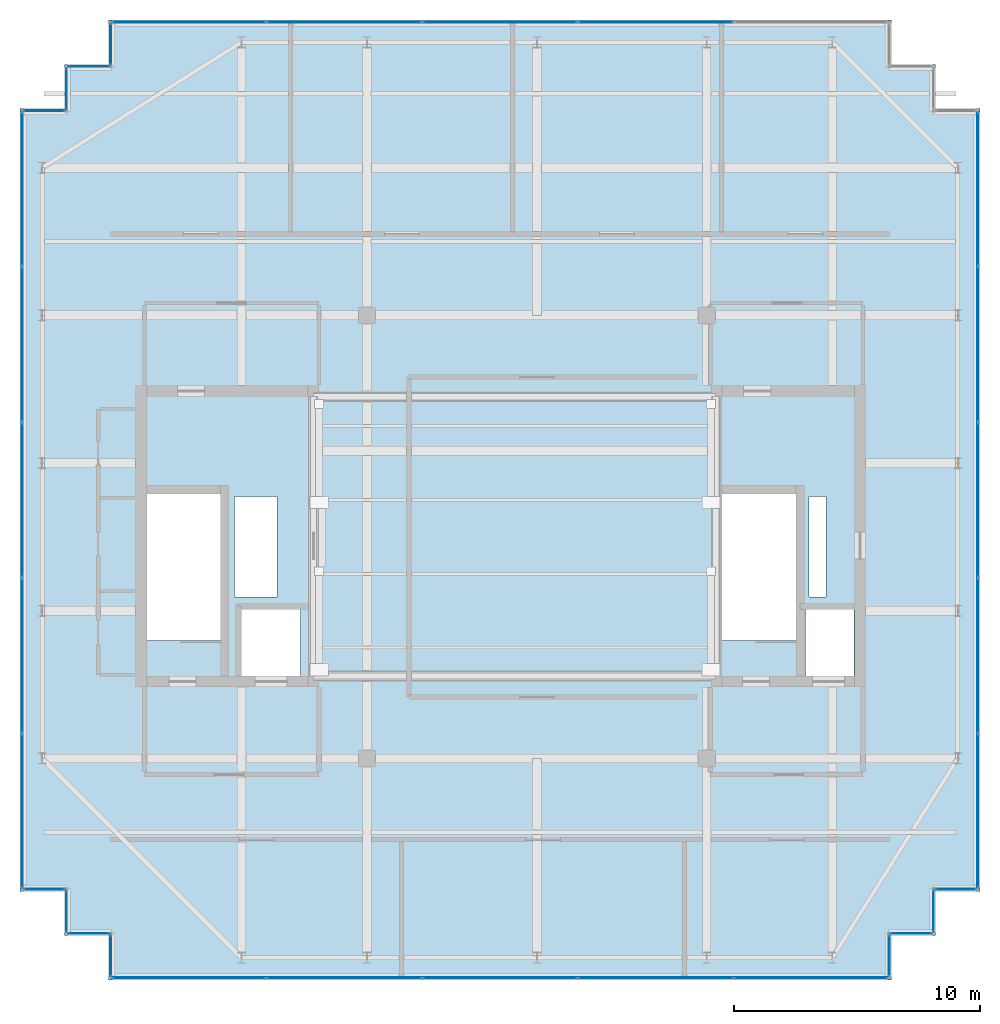
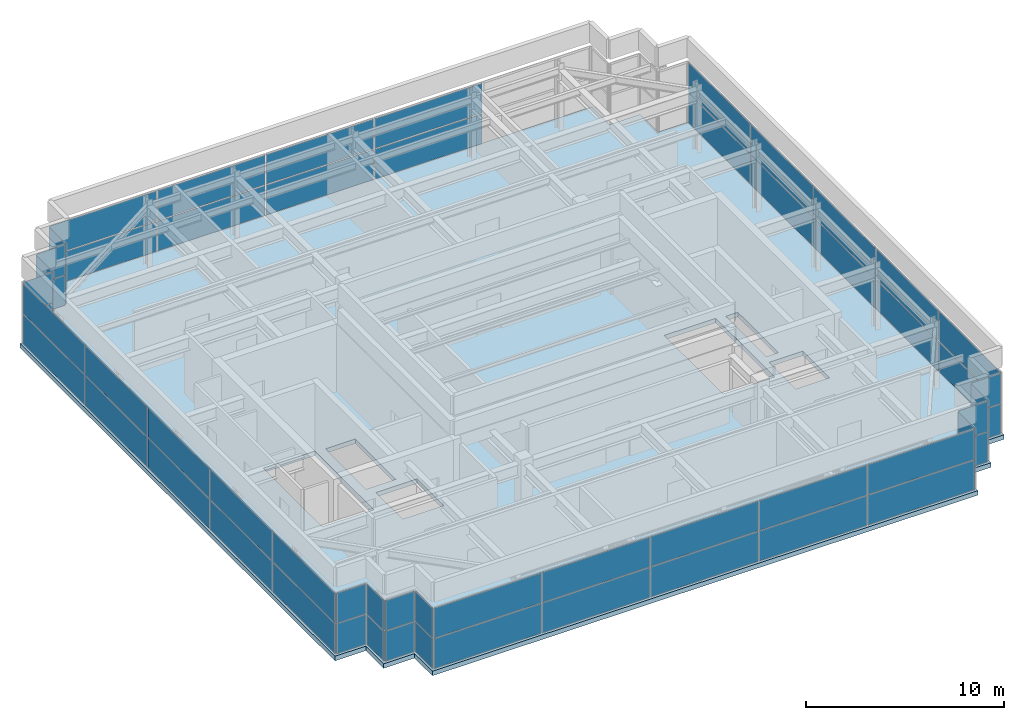
# One storey, part 29 of 33: 62 plates, 1 slab, 16 elements without a shape of their own.
"""IFC4 building model written with IfcOpenShell, lengths in metres."""

from ifc_helpers import new_model, si_unit, direction, frame, origin, origin_2d, place, context, subcontext, project, spatial, polyline, rectangle, outline, extrude, source, transform, mapped, material, layer, layer_set, type_object, element, aggregate, save


model = new_model("IFC4")

# Units and contexts
model_context = context("Model", 3, precision=1e-05, world=origin(), true_north=direction((0.0, 1.0)))
body_context = subcontext(model_context, "Body", "Model", "MODEL_VIEW")
ifc_project = project(units=[si_unit("LENGTHUNIT", "METRE"), si_unit("AREAUNIT", "SQUARE_METRE"), si_unit("VOLUMEUNIT", "CUBIC_METRE"), si_unit("PLANEANGLEUNIT", "RADIAN"), si_unit("MASSUNIT", "GRAM", prefix="KILO")], contexts=[model_context])

# Site, building, storey
site_placement = place(None, origin())
site = spatial("IfcSite", under=ifc_project, at=site_placement, CompositionType="ELEMENT")
building_placement = place(site_placement, origin())
building = spatial("IfcBuilding", under=site, at=building_placement, Name="Khoralis Quay Care Tower", CompositionType="ELEMENT")
storey_placement = place(building_placement, frame((0.0, 0.0, 314.699951171875)))
storey = spatial("IfcBuildingStorey", under=building, at=storey_placement, Name="L82", CompositionType="ELEMENT", Elevation=314.699951171875)

# Slab
ifc_material_1 = material(Name="Concrete C40/50", Category="concrete")
ifc_layer_1 = layer(ifc_material_1, 0.280029296875)
ifc_layer_set_1 = layer_set([ifc_layer_1], Name="Concrete C40/50")
slab_type = type_object("IfcSlabType", Name="SLB-TWR-280", PredefinedType="FLOOR", material=ifc_layer_set_1)
slab_placement = place(storey_placement, frame((0.0, 0.0, -0.280029296875)))
element("IfcSlab", 1, at=slab_placement, inside=storey, type_object=slab_type, Name="Tower Floor Slab L82", PredefinedType="FLOOR", context=body_context, shape_type="SweptSolid", body=[
    extrude(outline(polyline([(6.60009765625, 3.0), (38.39990234375, 3.0), (38.39990234375, 4.800048828125), (40.199951171875, 4.800048828125), (40.199951171875, 6.60009765625), (42.0, 6.60009765625), (42.0, 38.39990234375), (40.199951171875, 38.39990234375), (40.199951171875, 40.199951171875), (38.39990234375, 40.199951171875), (38.39990234375, 42.0), (6.60009765625, 42.0), (6.60009765625, 40.199951171875), (4.800048828125, 40.199951171875), (4.800048828125, 38.39990234375), (3.0, 38.39990234375), (3.0, 6.60009765625), (4.800048828125, 6.60009765625), (4.800048828125, 4.800048828125), (6.60009765625, 4.800048828125), (6.60009765625, 3.0)]), holes=[polyline([(11.14990234375, 16.800048828125), (11.14990234375, 22.75), (8.14990234375, 22.75), (8.14990234375, 16.800048828125), (11.14990234375, 16.800048828125)]), polyline([(34.52001953125, 16.800048828125), (34.52001953125, 22.75), (31.52001953125, 22.75), (31.52001953125, 16.800048828125), (34.52001953125, 16.800048828125)]), polyline([(12.0, 15.35009765625), (14.39990234375, 15.35009765625), (14.39990234375, 18.050048828125), (12.0, 18.050048828125), (12.0, 15.35009765625)]), polyline([(34.919921875, 15.35009765625), (36.8798828125, 15.35009765625), (36.8798828125, 18.050048828125), (34.919921875, 18.050048828125), (34.919921875, 15.35009765625)]), polyline([(11.719970703125, 18.550048828125), (13.449951171875, 18.550048828125), (13.449951171875, 22.64990234375), (11.719970703125, 22.64990234375), (11.719970703125, 18.550048828125)]), polyline([(35.050048828125, 18.550048828125), (35.75, 18.550048828125), (35.75, 22.64990234375), (35.050048828125, 22.64990234375), (35.050048828125, 18.550048828125)])]), origin(), (0.0, 0.0, 1.0), 0.280029296875),
])

# Curtain wall, plates
ifc_material_2 = material(Name="Pale anodised aluminium", Category="aluminium")
ifc_layer_2 = layer(ifc_material_2, 0.199951171875)
ifc_layer_set_2 = layer_set([ifc_layer_2], Name="Pale anodised aluminium")
curtain_wall_type = type_object("IfcCurtainWallType", Name="CW-SYS-LANTERN", PredefinedType="NOTDEFINED", material=ifc_layer_set_2)
curtain_wall_1_placement = place(storey_placement, origin())
curtain_wall_1 = element("IfcCurtainWall", 2, at=curtain_wall_1_placement, inside=storey, type_object=curtain_wall_type, Name="L82 Unitised Curtain Wall CW-LN-L82-01", PredefinedType="NOTDEFINED")
ifc_material_3 = material(Name="Low-iron clear lantern glazing", Category="glass")
ifc_layer_3 = layer(ifc_material_3, 0.035888671875)
ifc_layer_set_3 = layer_set([ifc_layer_3], Name="Low-iron clear lantern glazing")
plate_type = type_object("IfcPlateType", Name="PNL-LNT-36", PredefinedType="CURTAIN_PANEL", material=ifc_layer_set_3)
shared_shape_1 = source(origin(), body_context, "Body", "SweptSolid", [
    extrude(rectangle(XDim=6.23388671875, YDim=0.028076171875, at=origin_2d()), origin(), (0.0, 0.0, 1.0), 1.830078125),
])
plate_1_placement = place(storey_placement, frame((9.866943359375, 3.090087890625, 0.06005859375), z_axis=(0.0, 0.0, 1.0), x_axis=(1.0, 0.0, 0.0)))
plate_1 = element("IfcPlate", 3, at=plate_1_placement, type_object=plate_type, Name="CW5 panel 1.1", PredefinedType="CURTAIN_PANEL", context=body_context, shape_type="MappedRepresentation", body=[
    mapped(shared_shape_1, transform((0.0, 0.0, 0.0), scale=1.0)),
])
plate_2_placement = place(storey_placement, frame((9.866943359375, 3.090087890625, 1.949951171875), z_axis=(0.0, 0.0, 1.0), x_axis=(1.0, 0.0, 0.0)))
plate_2 = element("IfcPlate", 4, at=plate_2_placement, type_object=plate_type, Name="CW5 panel 1.2", PredefinedType="CURTAIN_PANEL", context=body_context, shape_type="MappedRepresentation", body=[
    mapped(shared_shape_1, transform((0.0, 0.0, 0.0), scale=1.0)),
])
plate_3_placement = place(storey_placement, frame((35.133056640625, 3.090087890625, 0.06005859375), z_axis=(0.0, 0.0, 1.0), x_axis=(1.0, 0.0, 0.0)))
plate_3 = element("IfcPlate", 5, at=plate_3_placement, type_object=plate_type, Name="CW5 panel 5.1", PredefinedType="CURTAIN_PANEL", context=body_context, shape_type="MappedRepresentation", body=[
    mapped(shared_shape_1, transform((0.0, 0.0, 0.0), scale=1.0)),
])
plate_4_placement = place(storey_placement, frame((35.133056640625, 3.090087890625, 1.949951171875), z_axis=(0.0, 0.0, 1.0), x_axis=(1.0, 0.0, 0.0)))
plate_4 = element("IfcPlate", 6, at=plate_4_placement, type_object=plate_type, Name="CW5 panel 5.2", PredefinedType="CURTAIN_PANEL", context=body_context, shape_type="MappedRepresentation", body=[
    mapped(shared_shape_1, transform((0.0, 0.0, 0.0), scale=1.0)),
])

curtain_wall_2_placement = place(storey_placement, origin())
curtain_wall_2 = element("IfcCurtainWall", 7, at=curtain_wall_2_placement, inside=storey, type_object=curtain_wall_type, Name="L82 Unitised Curtain Wall CW-LN-L82-06", PredefinedType="NOTDEFINED")
plate_5_placement = place(storey_placement, frame((41.909912109375, 9.866943359375, 0.06005859375), z_axis=(0.0, 0.0, 1.0), x_axis=(0.0, 1.0, 0.0)))
plate_5 = element("IfcPlate", 8, at=plate_5_placement, type_object=plate_type, Name="CW5 panel 1.1", PredefinedType="CURTAIN_PANEL", context=body_context, shape_type="MappedRepresentation", body=[
    mapped(shared_shape_1, transform((0.0, 0.0, 0.0), scale=1.0)),
])
plate_6_placement = place(storey_placement, frame((41.909912109375, 9.866943359375, 1.949951171875), z_axis=(0.0, 0.0, 1.0), x_axis=(0.0, 1.0, 0.0)))
plate_6 = element("IfcPlate", 9, at=plate_6_placement, type_object=plate_type, Name="CW5 panel 1.2", PredefinedType="CURTAIN_PANEL", context=body_context, shape_type="MappedRepresentation", body=[
    mapped(shared_shape_1, transform((0.0, 0.0, 0.0), scale=1.0)),
])
plate_7_placement = place(storey_placement, frame((41.909912109375, 35.133056640625, 0.06005859375), z_axis=(0.0, 0.0, 1.0), x_axis=(0.0, 1.0, 0.0)))
plate_7 = element("IfcPlate", 10, at=plate_7_placement, type_object=plate_type, Name="CW5 panel 5.1", PredefinedType="CURTAIN_PANEL", context=body_context, shape_type="MappedRepresentation", body=[
    mapped(shared_shape_1, transform((0.0, 0.0, 0.0), scale=1.0)),
])
plate_8_placement = place(storey_placement, frame((41.909912109375, 35.133056640625, 1.949951171875), z_axis=(0.0, 0.0, 1.0), x_axis=(0.0, 1.0, 0.0)))
plate_8 = element("IfcPlate", 11, at=plate_8_placement, type_object=plate_type, Name="CW5 panel 5.2", PredefinedType="CURTAIN_PANEL", context=body_context, shape_type="MappedRepresentation", body=[
    mapped(shared_shape_1, transform((0.0, 0.0, 0.0), scale=1.0)),
])

curtain_wall_3_placement = place(storey_placement, origin())
curtain_wall_3 = element("IfcCurtainWall", 12, at=curtain_wall_3_placement, inside=storey, type_object=curtain_wall_type, Name="L82 Unitised Curtain Wall CW-LN-L82-11", PredefinedType="NOTDEFINED")
plate_9_placement = place(storey_placement, frame((9.866943359375, 41.909912109375, 0.06005859375), z_axis=(0.0, 0.0, 1.0), x_axis=(-1.0, 0.0, 0.0)))
plate_9 = element("IfcPlate", 13, at=plate_9_placement, type_object=plate_type, Name="CW5 panel 5.1", PredefinedType="CURTAIN_PANEL", context=body_context, shape_type="MappedRepresentation", body=[
    mapped(shared_shape_1, transform((0.0, 0.0, 0.0), scale=1.0)),
])
plate_10_placement = place(storey_placement, frame((9.866943359375, 41.909912109375, 1.949951171875), z_axis=(0.0, 0.0, 1.0), x_axis=(-1.0, 0.0, 0.0)))
plate_10 = element("IfcPlate", 14, at=plate_10_placement, type_object=plate_type, Name="CW5 panel 5.2", PredefinedType="CURTAIN_PANEL", context=body_context, shape_type="MappedRepresentation", body=[
    mapped(shared_shape_1, transform((0.0, 0.0, 0.0), scale=1.0)),
])

curtain_wall_4_placement = place(storey_placement, origin())
curtain_wall_4 = element("IfcCurtainWall", 15, at=curtain_wall_4_placement, inside=storey, type_object=curtain_wall_type, Name="L82 Unitised Curtain Wall CW-LN-L82-16", PredefinedType="NOTDEFINED")
plate_11_placement = place(storey_placement, frame((3.090087890625, 35.133056640625, 0.06005859375), z_axis=(0.0, 0.0, 1.0), x_axis=(0.0, -1.0, 0.0)))
plate_11 = element("IfcPlate", 16, at=plate_11_placement, type_object=plate_type, Name="CW5 panel 1.1", PredefinedType="CURTAIN_PANEL", context=body_context, shape_type="MappedRepresentation", body=[
    mapped(shared_shape_1, transform((0.0, 0.0, 0.0), scale=1.0)),
])
plate_12_placement = place(storey_placement, frame((3.090087890625, 35.133056640625, 1.949951171875), z_axis=(0.0, 0.0, 1.0), x_axis=(0.0, -1.0, 0.0)))
plate_12 = element("IfcPlate", 17, at=plate_12_placement, type_object=plate_type, Name="CW5 panel 1.2", PredefinedType="CURTAIN_PANEL", context=body_context, shape_type="MappedRepresentation", body=[
    mapped(shared_shape_1, transform((0.0, 0.0, 0.0), scale=1.0)),
])
plate_13_placement = place(storey_placement, frame((3.090087890625, 9.866943359375, 0.06005859375), z_axis=(0.0, 0.0, 1.0), x_axis=(0.0, -1.0, 0.0)))
plate_13 = element("IfcPlate", 18, at=plate_13_placement, type_object=plate_type, Name="CW5 panel 5.1", PredefinedType="CURTAIN_PANEL", context=body_context, shape_type="MappedRepresentation", body=[
    mapped(shared_shape_1, transform((0.0, 0.0, 0.0), scale=1.0)),
])
plate_14_placement = place(storey_placement, frame((3.090087890625, 9.866943359375, 1.949951171875), z_axis=(0.0, 0.0, 1.0), x_axis=(0.0, -1.0, 0.0)))
plate_14 = element("IfcPlate", 19, at=plate_14_placement, type_object=plate_type, Name="CW5 panel 5.2", PredefinedType="CURTAIN_PANEL", context=body_context, shape_type="MappedRepresentation", body=[
    mapped(shared_shape_1, transform((0.0, 0.0, 0.0), scale=1.0)),
])

# Plate
shared_shape_2 = source(origin(), body_context, "Body", "SweptSolid", [
    extrude(rectangle(XDim=6.263916015625, YDim=0.028076171875, at=origin_2d()), origin(), (0.0, 0.0, 1.0), 1.830078125),
])
plate_15_placement = place(storey_placement, frame((16.176025390625, 3.090087890625, 0.06005859375), z_axis=(0.0, 0.0, 1.0), x_axis=(1.0, 0.0, 0.0)))
plate_15 = element("IfcPlate", 20, at=plate_15_placement, type_object=plate_type, Name="CW5 panel 2.1", PredefinedType="CURTAIN_PANEL", context=body_context, shape_type="MappedRepresentation", body=[
    mapped(shared_shape_2, transform((0.0, 0.0, 0.0), scale=1.0)),
])

plate_16_placement = place(storey_placement, frame((16.176025390625, 3.090087890625, 1.949951171875), z_axis=(0.0, 0.0, 1.0), x_axis=(1.0, 0.0, 0.0)))
plate_16 = element("IfcPlate", 21, at=plate_16_placement, type_object=plate_type, Name="CW5 panel 2.2", PredefinedType="CURTAIN_PANEL", context=body_context, shape_type="MappedRepresentation", body=[
    mapped(shared_shape_2, transform((0.0, 0.0, 0.0), scale=1.0)),
])

plate_17_placement = place(storey_placement, frame((22.5, 3.090087890625, 0.06005859375), z_axis=(0.0, 0.0, 1.0), x_axis=(1.0, 0.0, 0.0)))
plate_17 = element("IfcPlate", 22, at=plate_17_placement, type_object=plate_type, Name="CW5 panel 3.1", PredefinedType="CURTAIN_PANEL", context=body_context, shape_type="MappedRepresentation", body=[
    mapped(shared_shape_2, transform((0.0, 0.0, 0.0), scale=1.0)),
])

plate_18_placement = place(storey_placement, frame((22.5, 3.090087890625, 1.949951171875), z_axis=(0.0, 0.0, 1.0), x_axis=(1.0, 0.0, 0.0)))
plate_18 = element("IfcPlate", 23, at=plate_18_placement, type_object=plate_type, Name="CW5 panel 3.2", PredefinedType="CURTAIN_PANEL", context=body_context, shape_type="MappedRepresentation", body=[
    mapped(shared_shape_2, transform((0.0, 0.0, 0.0), scale=1.0)),
])

plate_19_placement = place(storey_placement, frame((28.823974609375, 3.090087890625, 0.06005859375), z_axis=(0.0, 0.0, 1.0), x_axis=(1.0, 0.0, 0.0)))
plate_19 = element("IfcPlate", 24, at=plate_19_placement, type_object=plate_type, Name="CW5 panel 4.1", PredefinedType="CURTAIN_PANEL", context=body_context, shape_type="MappedRepresentation", body=[
    mapped(shared_shape_2, transform((0.0, 0.0, 0.0), scale=1.0)),
])

plate_20_placement = place(storey_placement, frame((28.823974609375, 3.090087890625, 1.949951171875), z_axis=(0.0, 0.0, 1.0), x_axis=(1.0, 0.0, 0.0)))
plate_20 = element("IfcPlate", 25, at=plate_20_placement, type_object=plate_type, Name="CW5 panel 4.2", PredefinedType="CURTAIN_PANEL", context=body_context, shape_type="MappedRepresentation", body=[
    mapped(shared_shape_2, transform((0.0, 0.0, 0.0), scale=1.0)),
])

aggregate(curtain_wall_1, [plate_1, plate_2, plate_15, plate_16, plate_17, plate_18, plate_19, plate_20, plate_3, plate_4])

plate_21_placement = place(storey_placement, frame((41.909912109375, 16.176025390625, 0.06005859375), z_axis=(0.0, 0.0, 1.0), x_axis=(0.0, 1.0, 0.0)))
plate_21 = element("IfcPlate", 26, at=plate_21_placement, type_object=plate_type, Name="CW5 panel 2.1", PredefinedType="CURTAIN_PANEL", context=body_context, shape_type="MappedRepresentation", body=[
    mapped(shared_shape_2, transform((0.0, 0.0, 0.0), scale=1.0)),
])

plate_22_placement = place(storey_placement, frame((41.909912109375, 16.176025390625, 1.949951171875), z_axis=(0.0, 0.0, 1.0), x_axis=(0.0, 1.0, 0.0)))
plate_22 = element("IfcPlate", 27, at=plate_22_placement, type_object=plate_type, Name="CW5 panel 2.2", PredefinedType="CURTAIN_PANEL", context=body_context, shape_type="MappedRepresentation", body=[
    mapped(shared_shape_2, transform((0.0, 0.0, 0.0), scale=1.0)),
])

plate_23_placement = place(storey_placement, frame((41.909912109375, 22.5, 0.06005859375), z_axis=(0.0, 0.0, 1.0), x_axis=(0.0, 1.0, 0.0)))
plate_23 = element("IfcPlate", 28, at=plate_23_placement, type_object=plate_type, Name="CW5 panel 3.1", PredefinedType="CURTAIN_PANEL", context=body_context, shape_type="MappedRepresentation", body=[
    mapped(shared_shape_2, transform((0.0, 0.0, 0.0), scale=1.0)),
])

plate_24_placement = place(storey_placement, frame((41.909912109375, 22.5, 1.949951171875), z_axis=(0.0, 0.0, 1.0), x_axis=(0.0, 1.0, 0.0)))
plate_24 = element("IfcPlate", 29, at=plate_24_placement, type_object=plate_type, Name="CW5 panel 3.2", PredefinedType="CURTAIN_PANEL", context=body_context, shape_type="MappedRepresentation", body=[
    mapped(shared_shape_2, transform((0.0, 0.0, 0.0), scale=1.0)),
])

plate_25_placement = place(storey_placement, frame((41.909912109375, 28.823974609375, 0.06005859375), z_axis=(0.0, 0.0, 1.0), x_axis=(0.0, 1.0, 0.0)))
plate_25 = element("IfcPlate", 30, at=plate_25_placement, type_object=plate_type, Name="CW5 panel 4.1", PredefinedType="CURTAIN_PANEL", context=body_context, shape_type="MappedRepresentation", body=[
    mapped(shared_shape_2, transform((0.0, 0.0, 0.0), scale=1.0)),
])

plate_26_placement = place(storey_placement, frame((41.909912109375, 28.823974609375, 1.949951171875), z_axis=(0.0, 0.0, 1.0), x_axis=(0.0, 1.0, 0.0)))
plate_26 = element("IfcPlate", 31, at=plate_26_placement, type_object=plate_type, Name="CW5 panel 4.2", PredefinedType="CURTAIN_PANEL", context=body_context, shape_type="MappedRepresentation", body=[
    mapped(shared_shape_2, transform((0.0, 0.0, 0.0), scale=1.0)),
])

aggregate(curtain_wall_2, [plate_5, plate_6, plate_21, plate_22, plate_23, plate_24, plate_25, plate_26, plate_7, plate_8])

plate_27_placement = place(storey_placement, frame((28.823974609375, 41.909912109375, 0.06005859375), z_axis=(0.0, 0.0, 1.0), x_axis=(-1.0, 0.0, 0.0)))
plate_27 = element("IfcPlate", 32, at=plate_27_placement, type_object=plate_type, Name="CW5 panel 2.1", PredefinedType="CURTAIN_PANEL", context=body_context, shape_type="MappedRepresentation", body=[
    mapped(shared_shape_2, transform((0.0, 0.0, 0.0), scale=1.0)),
])

plate_28_placement = place(storey_placement, frame((28.823974609375, 41.909912109375, 1.949951171875), z_axis=(0.0, 0.0, 1.0), x_axis=(-1.0, 0.0, 0.0)))
plate_28 = element("IfcPlate", 33, at=plate_28_placement, type_object=plate_type, Name="CW5 panel 2.2", PredefinedType="CURTAIN_PANEL", context=body_context, shape_type="MappedRepresentation", body=[
    mapped(shared_shape_2, transform((0.0, 0.0, 0.0), scale=1.0)),
])

plate_29_placement = place(storey_placement, frame((22.5, 41.909912109375, 0.06005859375), z_axis=(0.0, 0.0, 1.0), x_axis=(-1.0, 0.0, 0.0)))
plate_29 = element("IfcPlate", 34, at=plate_29_placement, type_object=plate_type, Name="CW5 panel 3.1", PredefinedType="CURTAIN_PANEL", context=body_context, shape_type="MappedRepresentation", body=[
    mapped(shared_shape_2, transform((0.0, 0.0, 0.0), scale=1.0)),
])

plate_30_placement = place(storey_placement, frame((22.5, 41.909912109375, 1.949951171875), z_axis=(0.0, 0.0, 1.0), x_axis=(-1.0, 0.0, 0.0)))
plate_30 = element("IfcPlate", 35, at=plate_30_placement, type_object=plate_type, Name="CW5 panel 3.2", PredefinedType="CURTAIN_PANEL", context=body_context, shape_type="MappedRepresentation", body=[
    mapped(shared_shape_2, transform((0.0, 0.0, 0.0), scale=1.0)),
])

plate_31_placement = place(storey_placement, frame((16.176025390625, 41.909912109375, 0.06005859375), z_axis=(0.0, 0.0, 1.0), x_axis=(-1.0, 0.0, 0.0)))
plate_31 = element("IfcPlate", 36, at=plate_31_placement, type_object=plate_type, Name="CW5 panel 4.1", PredefinedType="CURTAIN_PANEL", context=body_context, shape_type="MappedRepresentation", body=[
    mapped(shared_shape_2, transform((0.0, 0.0, 0.0), scale=1.0)),
])

plate_32_placement = place(storey_placement, frame((16.176025390625, 41.909912109375, 1.949951171875), z_axis=(0.0, 0.0, 1.0), x_axis=(-1.0, 0.0, 0.0)))
plate_32 = element("IfcPlate", 37, at=plate_32_placement, type_object=plate_type, Name="CW5 panel 4.2", PredefinedType="CURTAIN_PANEL", context=body_context, shape_type="MappedRepresentation", body=[
    mapped(shared_shape_2, transform((0.0, 0.0, 0.0), scale=1.0)),
])

aggregate(curtain_wall_3, [plate_27, plate_28, plate_29, plate_30, plate_31, plate_32, plate_9, plate_10])

plate_33_placement = place(storey_placement, frame((3.090087890625, 28.823974609375, 0.06005859375), z_axis=(0.0, 0.0, 1.0), x_axis=(0.0, -1.0, 0.0)))
plate_33 = element("IfcPlate", 38, at=plate_33_placement, type_object=plate_type, Name="CW5 panel 2.1", PredefinedType="CURTAIN_PANEL", context=body_context, shape_type="MappedRepresentation", body=[
    mapped(shared_shape_2, transform((0.0, 0.0, 0.0), scale=1.0)),
])

plate_34_placement = place(storey_placement, frame((3.090087890625, 28.823974609375, 1.949951171875), z_axis=(0.0, 0.0, 1.0), x_axis=(0.0, -1.0, 0.0)))
plate_34 = element("IfcPlate", 39, at=plate_34_placement, type_object=plate_type, Name="CW5 panel 2.2", PredefinedType="CURTAIN_PANEL", context=body_context, shape_type="MappedRepresentation", body=[
    mapped(shared_shape_2, transform((0.0, 0.0, 0.0), scale=1.0)),
])

plate_35_placement = place(storey_placement, frame((3.090087890625, 22.5, 0.06005859375), z_axis=(0.0, 0.0, 1.0), x_axis=(0.0, -1.0, 0.0)))
plate_35 = element("IfcPlate", 40, at=plate_35_placement, type_object=plate_type, Name="CW5 panel 3.1", PredefinedType="CURTAIN_PANEL", context=body_context, shape_type="MappedRepresentation", body=[
    mapped(shared_shape_2, transform((0.0, 0.0, 0.0), scale=1.0)),
])

plate_36_placement = place(storey_placement, frame((3.090087890625, 22.5, 1.949951171875), z_axis=(0.0, 0.0, 1.0), x_axis=(0.0, -1.0, 0.0)))
plate_36 = element("IfcPlate", 41, at=plate_36_placement, type_object=plate_type, Name="CW5 panel 3.2", PredefinedType="CURTAIN_PANEL", context=body_context, shape_type="MappedRepresentation", body=[
    mapped(shared_shape_2, transform((0.0, 0.0, 0.0), scale=1.0)),
])

plate_37_placement = place(storey_placement, frame((3.090087890625, 16.176025390625, 0.06005859375), z_axis=(0.0, 0.0, 1.0), x_axis=(0.0, -1.0, 0.0)))
plate_37 = element("IfcPlate", 42, at=plate_37_placement, type_object=plate_type, Name="CW5 panel 4.1", PredefinedType="CURTAIN_PANEL", context=body_context, shape_type="MappedRepresentation", body=[
    mapped(shared_shape_2, transform((0.0, 0.0, 0.0), scale=1.0)),
])

plate_38_placement = place(storey_placement, frame((3.090087890625, 16.176025390625, 1.949951171875), z_axis=(0.0, 0.0, 1.0), x_axis=(0.0, -1.0, 0.0)))
plate_38 = element("IfcPlate", 43, at=plate_38_placement, type_object=plate_type, Name="CW5 panel 4.2", PredefinedType="CURTAIN_PANEL", context=body_context, shape_type="MappedRepresentation", body=[
    mapped(shared_shape_2, transform((0.0, 0.0, 0.0), scale=1.0)),
])

aggregate(curtain_wall_4, [plate_11, plate_12, plate_33, plate_34, plate_35, plate_36, plate_37, plate_38, plate_13, plate_14])

# Curtain wall, plates
curtain_wall_5_placement = place(storey_placement, origin())
curtain_wall_5 = element("IfcCurtainWall", 44, at=curtain_wall_5_placement, inside=storey, type_object=curtain_wall_type, Name="L82 Unitised Curtain Wall CW-LN-L82-02", PredefinedType="NOTDEFINED")
shared_shape_3 = source(origin(), body_context, "Body", "SweptSolid", [
    extrude(rectangle(XDim=1.679931640625, YDim=0.028076171875, at=origin_2d()), origin(), (0.0, 0.0, 1.0), 1.830078125),
])
plate_39_placement = place(storey_placement, frame((38.31005859375, 3.989990234375, 0.06005859375), z_axis=(0.0, 0.0, 1.0), x_axis=(0.0, 1.0, 0.0)))
plate_39 = element("IfcPlate", 45, at=plate_39_placement, type_object=plate_type, Name="CW5 panel 1.1", PredefinedType="CURTAIN_PANEL", context=body_context, shape_type="MappedRepresentation", body=[
    mapped(shared_shape_3, transform((0.0, 0.0, 0.0), scale=1.0)),
])
plate_40_placement = place(storey_placement, frame((38.31005859375, 3.989990234375, 1.949951171875), z_axis=(0.0, 0.0, 1.0), x_axis=(0.0, 1.0, 0.0)))
plate_40 = element("IfcPlate", 46, at=plate_40_placement, type_object=plate_type, Name="CW5 panel 1.2", PredefinedType="CURTAIN_PANEL", context=body_context, shape_type="MappedRepresentation", body=[
    mapped(shared_shape_3, transform((0.0, 0.0, 0.0), scale=1.0)),
])
aggregate(curtain_wall_5, [plate_39, plate_40])

curtain_wall_6_placement = place(storey_placement, origin())
curtain_wall_6 = element("IfcCurtainWall", 47, at=curtain_wall_6_placement, inside=storey, type_object=curtain_wall_type, Name="L82 Unitised Curtain Wall CW-LN-L82-03", PredefinedType="NOTDEFINED")
plate_41_placement = place(storey_placement, frame((39.2099609375, 4.889892578125, 0.06005859375), z_axis=(0.0, 0.0, 1.0), x_axis=(1.0, 0.0, 0.0)))
plate_41 = element("IfcPlate", 48, at=plate_41_placement, type_object=plate_type, Name="CW5 panel 1.1", PredefinedType="CURTAIN_PANEL", context=body_context, shape_type="MappedRepresentation", body=[
    mapped(shared_shape_3, transform((0.0, 0.0, 0.0), scale=1.0)),
])
plate_42_placement = place(storey_placement, frame((39.2099609375, 4.889892578125, 1.949951171875), z_axis=(0.0, 0.0, 1.0), x_axis=(1.0, 0.0, 0.0)))
plate_42 = element("IfcPlate", 49, at=plate_42_placement, type_object=plate_type, Name="CW5 panel 1.2", PredefinedType="CURTAIN_PANEL", context=body_context, shape_type="MappedRepresentation", body=[
    mapped(shared_shape_3, transform((0.0, 0.0, 0.0), scale=1.0)),
])
aggregate(curtain_wall_6, [plate_41, plate_42])

curtain_wall_7_placement = place(storey_placement, origin())
curtain_wall_7 = element("IfcCurtainWall", 50, at=curtain_wall_7_placement, inside=storey, type_object=curtain_wall_type, Name="L82 Unitised Curtain Wall CW-LN-L82-04", PredefinedType="NOTDEFINED")
plate_43_placement = place(storey_placement, frame((40.110107421875, 5.7900390625, 0.06005859375), z_axis=(0.0, 0.0, 1.0), x_axis=(0.0, 1.0, 0.0)))
plate_43 = element("IfcPlate", 51, at=plate_43_placement, type_object=plate_type, Name="CW5 panel 1.1", PredefinedType="CURTAIN_PANEL", context=body_context, shape_type="MappedRepresentation", body=[
    mapped(shared_shape_3, transform((0.0, 0.0, 0.0), scale=1.0)),
])
plate_44_placement = place(storey_placement, frame((40.110107421875, 5.7900390625, 1.949951171875), z_axis=(0.0, 0.0, 1.0), x_axis=(0.0, 1.0, 0.0)))
plate_44 = element("IfcPlate", 52, at=plate_44_placement, type_object=plate_type, Name="CW5 panel 1.2", PredefinedType="CURTAIN_PANEL", context=body_context, shape_type="MappedRepresentation", body=[
    mapped(shared_shape_3, transform((0.0, 0.0, 0.0), scale=1.0)),
])
aggregate(curtain_wall_7, [plate_43, plate_44])

curtain_wall_8_placement = place(storey_placement, origin())
curtain_wall_8 = element("IfcCurtainWall", 53, at=curtain_wall_8_placement, inside=storey, type_object=curtain_wall_type, Name="L82 Unitised Curtain Wall CW-LN-L82-05", PredefinedType="NOTDEFINED")
plate_45_placement = place(storey_placement, frame((41.010009765625, 6.68994140625, 0.06005859375), z_axis=(0.0, 0.0, 1.0), x_axis=(1.0, 0.0, 0.0)))
plate_45 = element("IfcPlate", 54, at=plate_45_placement, type_object=plate_type, Name="CW5 panel 1.1", PredefinedType="CURTAIN_PANEL", context=body_context, shape_type="MappedRepresentation", body=[
    mapped(shared_shape_3, transform((0.0, 0.0, 0.0), scale=1.0)),
])
plate_46_placement = place(storey_placement, frame((41.010009765625, 6.68994140625, 1.949951171875), z_axis=(0.0, 0.0, 1.0), x_axis=(1.0, 0.0, 0.0)))
plate_46 = element("IfcPlate", 55, at=plate_46_placement, type_object=plate_type, Name="CW5 panel 1.2", PredefinedType="CURTAIN_PANEL", context=body_context, shape_type="MappedRepresentation", body=[
    mapped(shared_shape_3, transform((0.0, 0.0, 0.0), scale=1.0)),
])
aggregate(curtain_wall_8, [plate_45, plate_46])

curtain_wall_9_placement = place(storey_placement, origin())
curtain_wall_9 = element("IfcCurtainWall", 56, at=curtain_wall_9_placement, inside=storey, type_object=curtain_wall_type, Name="L82 Unitised Curtain Wall CW-LN-L82-12", PredefinedType="NOTDEFINED")
plate_47_placement = place(storey_placement, frame((6.68994140625, 41.010009765625, 0.06005859375), z_axis=(0.0, 0.0, 1.0), x_axis=(0.0, -1.0, 0.0)))
plate_47 = element("IfcPlate", 57, at=plate_47_placement, type_object=plate_type, Name="CW5 panel 1.1", PredefinedType="CURTAIN_PANEL", context=body_context, shape_type="MappedRepresentation", body=[
    mapped(shared_shape_3, transform((0.0, 0.0, 0.0), scale=1.0)),
])
plate_48_placement = place(storey_placement, frame((6.68994140625, 41.010009765625, 1.949951171875), z_axis=(0.0, 0.0, 1.0), x_axis=(0.0, -1.0, 0.0)))
plate_48 = element("IfcPlate", 58, at=plate_48_placement, type_object=plate_type, Name="CW5 panel 1.2", PredefinedType="CURTAIN_PANEL", context=body_context, shape_type="MappedRepresentation", body=[
    mapped(shared_shape_3, transform((0.0, 0.0, 0.0), scale=1.0)),
])
aggregate(curtain_wall_9, [plate_47, plate_48])

curtain_wall_10_placement = place(storey_placement, origin())
curtain_wall_10 = element("IfcCurtainWall", 59, at=curtain_wall_10_placement, inside=storey, type_object=curtain_wall_type, Name="L82 Unitised Curtain Wall CW-LN-L82-13", PredefinedType="NOTDEFINED")
plate_49_placement = place(storey_placement, frame((5.7900390625, 40.110107421875, 0.06005859375), z_axis=(0.0, 0.0, 1.0), x_axis=(-1.0, 0.0, 0.0)))
plate_49 = element("IfcPlate", 60, at=plate_49_placement, type_object=plate_type, Name="CW5 panel 1.1", PredefinedType="CURTAIN_PANEL", context=body_context, shape_type="MappedRepresentation", body=[
    mapped(shared_shape_3, transform((0.0, 0.0, 0.0), scale=1.0)),
])
plate_50_placement = place(storey_placement, frame((5.7900390625, 40.110107421875, 1.949951171875), z_axis=(0.0, 0.0, 1.0), x_axis=(-1.0, 0.0, 0.0)))
plate_50 = element("IfcPlate", 61, at=plate_50_placement, type_object=plate_type, Name="CW5 panel 1.2", PredefinedType="CURTAIN_PANEL", context=body_context, shape_type="MappedRepresentation", body=[
    mapped(shared_shape_3, transform((0.0, 0.0, 0.0), scale=1.0)),
])
aggregate(curtain_wall_10, [plate_49, plate_50])

curtain_wall_11_placement = place(storey_placement, origin())
curtain_wall_11 = element("IfcCurtainWall", 62, at=curtain_wall_11_placement, inside=storey, type_object=curtain_wall_type, Name="L82 Unitised Curtain Wall CW-LN-L82-14", PredefinedType="NOTDEFINED")
plate_51_placement = place(storey_placement, frame((4.889892578125, 39.2099609375, 0.06005859375), z_axis=(0.0, 0.0, 1.0), x_axis=(0.0, -1.0, 0.0)))
plate_51 = element("IfcPlate", 63, at=plate_51_placement, type_object=plate_type, Name="CW5 panel 1.1", PredefinedType="CURTAIN_PANEL", context=body_context, shape_type="MappedRepresentation", body=[
    mapped(shared_shape_3, transform((0.0, 0.0, 0.0), scale=1.0)),
])
plate_52_placement = place(storey_placement, frame((4.889892578125, 39.2099609375, 1.949951171875), z_axis=(0.0, 0.0, 1.0), x_axis=(0.0, -1.0, 0.0)))
plate_52 = element("IfcPlate", 64, at=plate_52_placement, type_object=plate_type, Name="CW5 panel 1.2", PredefinedType="CURTAIN_PANEL", context=body_context, shape_type="MappedRepresentation", body=[
    mapped(shared_shape_3, transform((0.0, 0.0, 0.0), scale=1.0)),
])
aggregate(curtain_wall_11, [plate_51, plate_52])

curtain_wall_12_placement = place(storey_placement, origin())
curtain_wall_12 = element("IfcCurtainWall", 65, at=curtain_wall_12_placement, inside=storey, type_object=curtain_wall_type, Name="L82 Unitised Curtain Wall CW-LN-L82-15", PredefinedType="NOTDEFINED")
plate_53_placement = place(storey_placement, frame((3.989990234375, 38.31005859375, 0.06005859375), z_axis=(0.0, 0.0, 1.0), x_axis=(-1.0, 0.0, 0.0)))
plate_53 = element("IfcPlate", 66, at=plate_53_placement, type_object=plate_type, Name="CW5 panel 1.1", PredefinedType="CURTAIN_PANEL", context=body_context, shape_type="MappedRepresentation", body=[
    mapped(shared_shape_3, transform((0.0, 0.0, 0.0), scale=1.0)),
])
plate_54_placement = place(storey_placement, frame((3.989990234375, 38.31005859375, 1.949951171875), z_axis=(0.0, 0.0, 1.0), x_axis=(-1.0, 0.0, 0.0)))
plate_54 = element("IfcPlate", 67, at=plate_54_placement, type_object=plate_type, Name="CW5 panel 1.2", PredefinedType="CURTAIN_PANEL", context=body_context, shape_type="MappedRepresentation", body=[
    mapped(shared_shape_3, transform((0.0, 0.0, 0.0), scale=1.0)),
])
aggregate(curtain_wall_12, [plate_53, plate_54])

curtain_wall_13_placement = place(storey_placement, origin())
curtain_wall_13 = element("IfcCurtainWall", 68, at=curtain_wall_13_placement, inside=storey, type_object=curtain_wall_type, Name="L82 Unitised Curtain Wall CW-LN-L82-17", PredefinedType="NOTDEFINED")
plate_55_placement = place(storey_placement, frame((3.989990234375, 6.68994140625, 0.06005859375), z_axis=(0.0, 0.0, 1.0), x_axis=(1.0, 0.0, 0.0)))
plate_55 = element("IfcPlate", 69, at=plate_55_placement, type_object=plate_type, Name="CW5 panel 1.1", PredefinedType="CURTAIN_PANEL", context=body_context, shape_type="MappedRepresentation", body=[
    mapped(shared_shape_3, transform((0.0, 0.0, 0.0), scale=1.0)),
])
plate_56_placement = place(storey_placement, frame((3.989990234375, 6.68994140625, 1.949951171875), z_axis=(0.0, 0.0, 1.0), x_axis=(1.0, 0.0, 0.0)))
plate_56 = element("IfcPlate", 70, at=plate_56_placement, type_object=plate_type, Name="CW5 panel 1.2", PredefinedType="CURTAIN_PANEL", context=body_context, shape_type="MappedRepresentation", body=[
    mapped(shared_shape_3, transform((0.0, 0.0, 0.0), scale=1.0)),
])
aggregate(curtain_wall_13, [plate_55, plate_56])

curtain_wall_14_placement = place(storey_placement, origin())
curtain_wall_14 = element("IfcCurtainWall", 71, at=curtain_wall_14_placement, inside=storey, type_object=curtain_wall_type, Name="L82 Unitised Curtain Wall CW-LN-L82-18", PredefinedType="NOTDEFINED")
plate_57_placement = place(storey_placement, frame((4.889892578125, 5.7900390625, 0.06005859375), z_axis=(0.0, 0.0, 1.0), x_axis=(0.0, -1.0, 0.0)))
plate_57 = element("IfcPlate", 72, at=plate_57_placement, type_object=plate_type, Name="CW5 panel 1.1", PredefinedType="CURTAIN_PANEL", context=body_context, shape_type="MappedRepresentation", body=[
    mapped(shared_shape_3, transform((0.0, 0.0, 0.0), scale=1.0)),
])
plate_58_placement = place(storey_placement, frame((4.889892578125, 5.7900390625, 1.949951171875), z_axis=(0.0, 0.0, 1.0), x_axis=(0.0, -1.0, 0.0)))
plate_58 = element("IfcPlate", 73, at=plate_58_placement, type_object=plate_type, Name="CW5 panel 1.2", PredefinedType="CURTAIN_PANEL", context=body_context, shape_type="MappedRepresentation", body=[
    mapped(shared_shape_3, transform((0.0, 0.0, 0.0), scale=1.0)),
])
aggregate(curtain_wall_14, [plate_57, plate_58])

curtain_wall_15_placement = place(storey_placement, origin())
curtain_wall_15 = element("IfcCurtainWall", 74, at=curtain_wall_15_placement, inside=storey, type_object=curtain_wall_type, Name="L82 Unitised Curtain Wall CW-LN-L82-19", PredefinedType="NOTDEFINED")
plate_59_placement = place(storey_placement, frame((5.7900390625, 4.889892578125, 0.06005859375), z_axis=(0.0, 0.0, 1.0), x_axis=(1.0, 0.0, 0.0)))
plate_59 = element("IfcPlate", 75, at=plate_59_placement, type_object=plate_type, Name="CW5 panel 1.1", PredefinedType="CURTAIN_PANEL", context=body_context, shape_type="MappedRepresentation", body=[
    mapped(shared_shape_3, transform((0.0, 0.0, 0.0), scale=1.0)),
])
plate_60_placement = place(storey_placement, frame((5.7900390625, 4.889892578125, 1.949951171875), z_axis=(0.0, 0.0, 1.0), x_axis=(1.0, 0.0, 0.0)))
plate_60 = element("IfcPlate", 76, at=plate_60_placement, type_object=plate_type, Name="CW5 panel 1.2", PredefinedType="CURTAIN_PANEL", context=body_context, shape_type="MappedRepresentation", body=[
    mapped(shared_shape_3, transform((0.0, 0.0, 0.0), scale=1.0)),
])
aggregate(curtain_wall_15, [plate_59, plate_60])

curtain_wall_16_placement = place(storey_placement, origin())
curtain_wall_16 = element("IfcCurtainWall", 77, at=curtain_wall_16_placement, inside=storey, type_object=curtain_wall_type, Name="L82 Unitised Curtain Wall CW-LN-L82-20", PredefinedType="NOTDEFINED")
plate_61_placement = place(storey_placement, frame((6.68994140625, 3.989990234375, 0.06005859375), z_axis=(0.0, 0.0, 1.0), x_axis=(0.0, -1.0, 0.0)))
plate_61 = element("IfcPlate", 78, at=plate_61_placement, type_object=plate_type, Name="CW5 panel 1.1", PredefinedType="CURTAIN_PANEL", context=body_context, shape_type="MappedRepresentation", body=[
    mapped(shared_shape_3, transform((0.0, 0.0, 0.0), scale=1.0)),
])
plate_62_placement = place(storey_placement, frame((6.68994140625, 3.989990234375, 1.949951171875), z_axis=(0.0, 0.0, 1.0), x_axis=(0.0, -1.0, 0.0)))
plate_62 = element("IfcPlate", 79, at=plate_62_placement, type_object=plate_type, Name="CW5 panel 1.2", PredefinedType="CURTAIN_PANEL", context=body_context, shape_type="MappedRepresentation", body=[
    mapped(shared_shape_3, transform((0.0, 0.0, 0.0), scale=1.0)),
])
aggregate(curtain_wall_16, [plate_61, plate_62])

save(model, "model.ifc")
